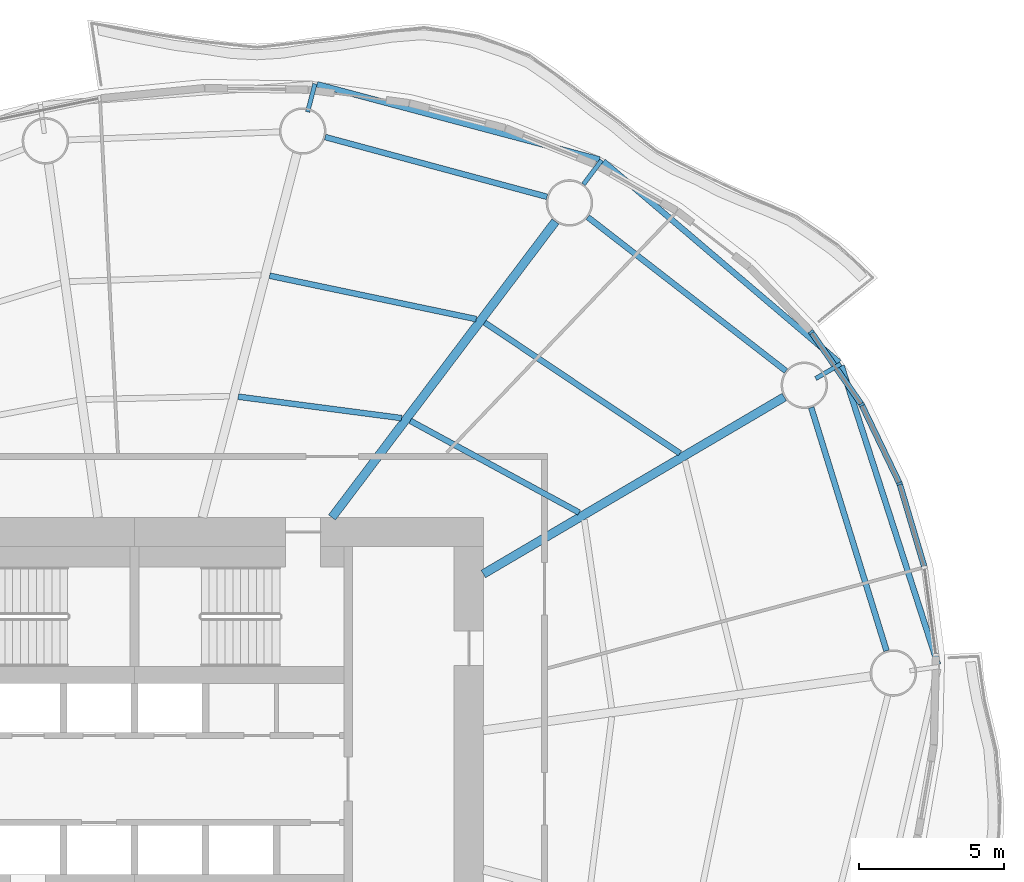
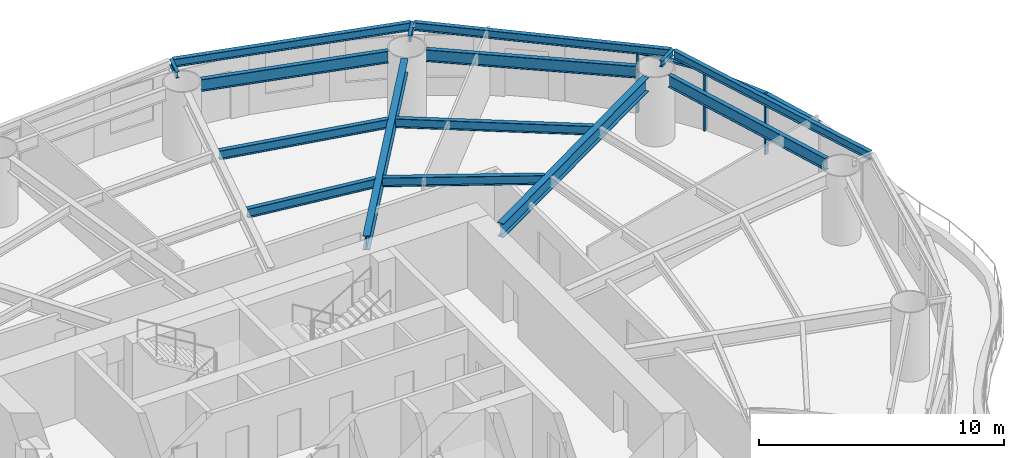
# One storey, part 6 of 14: 15 beams, 6 members, 3 elements without a shape of their own.
"""IFC4 building model written with IfcOpenShell, lengths in metres."""

from ifc_helpers import new_model, si_unit, direction, frame, origin, origin_2d, place, context, subcontext, project, spatial, rectangle, i_section, extrude, material, material_profile, profile_set, type_object, element, aggregate, save


model = new_model("IFC4")

# Units and contexts
model_context = context("Model", 3, precision=1e-05, world=origin(), true_north=direction((0.0, 1.0)))
body_context = subcontext(model_context, "Body", "Model", "MODEL_VIEW")
ifc_project = project(units=[si_unit("LENGTHUNIT", "METRE"), si_unit("AREAUNIT", "SQUARE_METRE"), si_unit("VOLUMEUNIT", "CUBIC_METRE"), si_unit("PLANEANGLEUNIT", "RADIAN"), si_unit("MASSUNIT", "GRAM", prefix="KILO")], contexts=[model_context])

# Site, building, storey
site_placement = place(None, origin())
site = spatial("IfcSite", under=ifc_project, at=site_placement, CompositionType="ELEMENT")
building_placement = place(site_placement, origin())
building = spatial("IfcBuilding", under=site, at=building_placement, Name="Vermilion Reach Broadcast Tower", CompositionType="ELEMENT")
storey_placement = place(building_placement, frame((0.0, 0.0, 117.39990234375)))
storey = spatial("IfcBuildingStorey", under=building, at=storey_placement, Name="L27", CompositionType="ELEMENT", Elevation=117.39990234375)

# Beams
ifc_material_1 = material(Name="Steel S355J2", Category="steel")
ifc_material_profile_1 = material_profile(ifc_material_1, i_section(OverallWidth=0.199951171875, OverallDepth=0.39990234375, WebThickness=0.008056640625, FlangeThickness=0.012939453125, at=origin_2d()), Name="S355J2 HN 400x200x8x13")
ifc_profile_set_1 = profile_set([ifc_material_profile_1], Name="Steel S355J2")
beam_type_1 = type_object("IfcBeamType", Name="EB2 HN 400x200x8x13", PredefinedType="BEAM", material=ifc_profile_set_1)
beam_1_placement = place(storey_placement, frame((18.23828125, 14.3359375, 3.25), z_axis=(-0.761148090509, 0.648578125066, 0.0), x_axis=(-0.648578125066, -0.761148090509, 0.0)))
element("IfcBeam", 1, at=beam_1_placement, inside=storey, type_object=beam_type_1, Name="Edge beam EB2-01", PredefinedType="BEAM", context=body_context, shape_type="SweptSolid", body=[
    extrude(i_section(OverallWidth=0.199951171875, OverallDepth=0.39990234375, WebThickness=0.008056640625, FlangeThickness=0.012939453125, at=origin_2d()), origin(), (0.0, 0.0, 1.0), 10.65087890625),
])
beam_2_placement = place(storey_placement, frame((9.99609375, 21.3134765625, 3.25), z_axis=(-0.966375456993, 0.257135132026, 0.0), x_axis=(-0.257135132026, -0.966375456993, 0.0)))
element("IfcBeam", 2, at=beam_2_placement, inside=storey, type_object=beam_type_1, Name="Edge beam EB2-02", PredefinedType="BEAM", context=body_context, shape_type="SweptSolid", body=[
    extrude(i_section(OverallWidth=0.199951171875, OverallDepth=0.39990234375, WebThickness=0.008056640625, FlangeThickness=0.012939453125, at=origin_2d()), origin(), (0.0, 0.0, 1.0), 10.053955078125),
])
beam_3_placement = place(storey_placement, frame((21.6416015625, 3.935791015625, 3.25), z_axis=(-0.30738985375, 0.951583668319, 0.0), x_axis=(-0.951583668319, -0.30738985375, 0.0)))
element("IfcBeam", 3, at=beam_3_placement, inside=storey, type_object=beam_type_1, Name="Edge beam EB2-16", PredefinedType="BEAM", context=body_context, shape_type="SweptSolid", body=[
    extrude(i_section(OverallWidth=0.199951171875, OverallDepth=0.39990234375, WebThickness=0.008056640625, FlangeThickness=0.012939453125, at=origin_2d()), origin(), (0.0, 0.0, 1.0), 10.79833984375),
])
ifc_material_2 = material(Name="Steel S355J2", Category="steel")
ifc_material_profile_2 = material_profile(ifc_material_2, i_section(OverallWidth=0.300048828125, OverallDepth=0.699951171875, WebThickness=0.012939453125, FlangeThickness=0.02392578125, at=origin_2d()), Name="S355J2 HN 700x300x13x24")
ifc_profile_set_2 = profile_set([ifc_material_profile_2], Name="Steel S355J2")
beam_type_2 = type_object("IfcBeamType", Name="G2 HN 700x300x13x24", PredefinedType="BEAM", material=ifc_profile_set_2)
beam_4_placement = place(storey_placement, frame((6.0, 7.054443359375, 3.10009765625), z_axis=(0.862071616631, 0.506786471603, 0.0), x_axis=(-0.506786471603, 0.862071616631, 0.0)))
element("IfcBeam", 4, at=beam_4_placement, inside=storey, type_object=beam_type_2, Name="Girder G2-01", PredefinedType="BEAM", context=body_context, shape_type="SweptSolid", body=[
    extrude(i_section(OverallWidth=0.300048828125, OverallDepth=0.699951171875, WebThickness=0.012939453125, FlangeThickness=0.02392578125, at=origin_2d()), origin(), (0.0, 0.0, 1.0), 12.01025390625),
])
beam_5_placement = place(storey_placement, frame((0.794189453125, 9.0, 3.10009765625), z_axis=(0.602519842365, 0.798103902733, 0.0), x_axis=(-0.798103902733, 0.602519842365, 0.0)))
element("IfcBeam", 5, at=beam_5_placement, inside=storey, type_object=beam_type_2, Name="Girder G2-02", PredefinedType="BEAM", context=body_context, shape_type="SweptSolid", body=[
    extrude(i_section(OverallWidth=0.300048828125, OverallDepth=0.699951171875, WebThickness=0.012939453125, FlangeThickness=0.02392578125, at=origin_2d()), origin(), (0.0, 0.0, 1.0), 12.758544921875),
])
ifc_material_3 = material(Name="Steel S355J2", Category="steel")
ifc_material_profile_3 = material_profile(ifc_material_3, i_section(OverallWidth=0.14990234375, OverallDepth=0.300048828125, WebThickness=0.006591796875, FlangeThickness=0.009033203125, at=origin_2d()), Name="S355J2 HN 300x150x6.5x9")
ifc_profile_set_3 = profile_set([ifc_material_profile_3], Name="Steel S355J2")
beam_type_3 = type_object("IfcBeamType", Name="GS2 HN 300x150x6.5x9", PredefinedType="BEAM", material=ifc_profile_set_3)
beam_6_placement = place(storey_placement, frame((17.4365234375, 13.777587890625, 3.300048828125), z_axis=(0.862047161964, 0.506828068037, 0.0), x_axis=(-0.506828068037, 0.862047161964, 0.0)))
element("IfcBeam", 6, at=beam_6_placement, inside=storey, type_object=beam_type_3, Name="Cantilever stub GS2-01", PredefinedType="BEAM", context=body_context, shape_type="SweptSolid", body=[
    extrude(i_section(OverallWidth=0.14990234375, OverallDepth=0.300048828125, WebThickness=0.006591796875, FlangeThickness=0.009033203125, at=origin_2d()), origin(), (0.0, 0.0, 1.0), 1.0),
])
beam_7_placement = place(storey_placement, frame((9.4453125, 20.45947265625, 3.300048828125), z_axis=(0.602541861435, 0.798087279199, 0.0), x_axis=(-0.798087279199, 0.602541861435, 0.0)))
element("IfcBeam", 7, at=beam_7_placement, inside=storey, type_object=beam_type_3, Name="Cantilever stub GS2-02", PredefinedType="BEAM", context=body_context, shape_type="SweptSolid", body=[
    extrude(i_section(OverallWidth=0.14990234375, OverallDepth=0.300048828125, WebThickness=0.006591796875, FlangeThickness=0.009033203125, at=origin_2d()), origin(), (0.0, 0.0, 1.0), 1.043701171875),
])
beam_8_placement = place(storey_placement, frame((-0.04345703125, 22.949951171875, 3.300048828125), z_axis=(0.251428062615, 0.967875988611, 0.0), x_axis=(-0.967875988611, 0.251428062615, 0.0)))
element("IfcBeam", 8, at=beam_8_placement, inside=storey, type_object=beam_type_3, Name="Cantilever stub GS2-03", PredefinedType="BEAM", context=body_context, shape_type="SweptSolid", body=[
    extrude(i_section(OverallWidth=0.14990234375, OverallDepth=0.300048828125, WebThickness=0.006591796875, FlangeThickness=0.009033203125, at=origin_2d()), origin(), (0.0, 0.0, 1.0), 1.000244140625),
])
ifc_material_4 = material(Name="Steel S355J2", Category="steel")
ifc_material_profile_4 = material_profile(ifc_material_4, i_section(OverallWidth=0.199951171875, OverallDepth=0.60009765625, WebThickness=0.010986328125, FlangeThickness=0.01708984375, at=origin_2d()), Name="S355J2 HN 600x200x11x17")
ifc_profile_set_4 = profile_set([ifc_material_profile_4], Name="Steel S355J2")
beam_type_4 = type_object("IfcBeamType", Name="RB2 HN 600x200x11x17", PredefinedType="BEAM", material=ifc_profile_set_4)
beam_9_placement = place(storey_placement, frame((16.41162109375, 14.037109375, 3.150146484375), z_axis=(-0.789825712432, 0.613331349257, 0.0), x_axis=(-0.613331349257, -0.789825712432, 0.0)))
element("IfcBeam", 9, at=beam_9_placement, inside=storey, type_object=beam_type_4, Name="Ring beam RB2-01", PredefinedType="BEAM", context=body_context, shape_type="SweptSolid", body=[
    extrude(i_section(OverallWidth=0.199951171875, OverallDepth=0.60009765625, WebThickness=0.010986328125, FlangeThickness=0.01708984375, at=origin_2d()), origin(), (0.0, 0.0, 1.0), 8.63037109375),
])
beam_10_placement = place(storey_placement, frame((8.19091796875, 20.029296875, 3.150146484375), z_axis=(-0.965541463834, 0.260249268234, 0.0), x_axis=(-0.260249268234, -0.965541463834, 0.0)))
element("IfcBeam", 10, at=beam_10_placement, inside=storey, type_object=beam_type_4, Name="Ring beam RB2-02", PredefinedType="BEAM", context=body_context, shape_type="SweptSolid", body=[
    extrude(i_section(OverallWidth=0.199951171875, OverallDepth=0.60009765625, WebThickness=0.010986328125, FlangeThickness=0.01708984375, at=origin_2d()), origin(), (0.0, 0.0, 1.0), 7.904541015625),
])
beam_11_placement = place(storey_placement, frame((19.872314453125, 4.410400390625, 3.150146484375), z_axis=(-0.295788439635, 0.95525347368, 0.0), x_axis=(-0.95525347368, -0.295788439635, 0.0)))
element("IfcBeam", 11, at=beam_11_placement, inside=storey, type_object=beam_type_4, Name="Ring beam RB2-16", PredefinedType="BEAM", context=body_context, shape_type="SweptSolid", body=[
    extrude(i_section(OverallWidth=0.199951171875, OverallDepth=0.60009765625, WebThickness=0.010986328125, FlangeThickness=0.01708984375, at=origin_2d()), origin(), (0.0, 0.0, 1.0), 8.763916015625),
])
ifc_material_5 = material(Name="Steel S355J2", Category="steel")
ifc_material_profile_5 = material_profile(ifc_material_5, i_section(OverallWidth=0.199951171875, OverallDepth=0.449951171875, WebThickness=0.009033203125, FlangeThickness=0.013916015625, at=origin_2d()), Name="S355J2 HN 450x200x9x14")
ifc_profile_set_5 = profile_set([ifc_material_profile_5], Name="Steel S355J2")
beam_type_5 = type_object("IfcBeamType", Name="SB2 HN 450x200x9x14", PredefinedType="BEAM", material=ifc_profile_set_5)
beam_12_placement = place(storey_placement, frame((9.29736328125, 9.1669921875, 3.22509765625), z_axis=(-0.878713106774, 0.477350265512, 0.0), x_axis=(-0.477350265512, -0.878713106774, 0.0)))
element("IfcBeam", 12, at=beam_12_placement, inside=storey, type_object=beam_type_5, Name="Secondary beam SB2-01-1", PredefinedType="BEAM", context=body_context, shape_type="SweptSolid", body=[
    extrude(i_section(OverallWidth=0.199951171875, OverallDepth=0.449951171875, WebThickness=0.009033203125, FlangeThickness=0.013916015625, at=origin_2d()), origin(), (0.0, 0.0, 1.0), 6.60888671875),
])
beam_13_placement = place(storey_placement, frame((12.76416015625, 11.204833984375, 3.22509765625), z_axis=(-0.830915400975, 0.556398774641, 0.0), x_axis=(-0.556398774641, -0.830915400975, 0.0)))
element("IfcBeam", 13, at=beam_13_placement, inside=storey, type_object=beam_type_5, Name="Secondary beam SB2-01-2", PredefinedType="BEAM", context=body_context, shape_type="SweptSolid", body=[
    extrude(i_section(OverallWidth=0.199951171875, OverallDepth=0.449951171875, WebThickness=0.009033203125, FlangeThickness=0.013916015625, at=origin_2d()), origin(), (0.0, 0.0, 1.0), 8.087646484375),
])
beam_14_placement = place(storey_placement, frame((3.185546875, 12.416748046875, 3.22509765625), z_axis=(-0.991498686864, 0.130116693573, 0.0), x_axis=(-0.130116693573, -0.991498686864, 0.0)))
element("IfcBeam", 14, at=beam_14_placement, inside=storey, type_object=beam_type_5, Name="Secondary beam SB2-02-1", PredefinedType="BEAM", context=body_context, shape_type="SweptSolid", body=[
    extrude(i_section(OverallWidth=0.199951171875, OverallDepth=0.449951171875, WebThickness=0.009033203125, FlangeThickness=0.013916015625, at=origin_2d()), origin(), (0.0, 0.0, 1.0), 5.66455078125),
])
beam_15_placement = place(storey_placement, frame((5.7568359375, 15.822509765625, 3.22509765625), z_axis=(-0.978631382549, 0.205622511148, 0.0), x_axis=(-0.205622511148, -0.978631382549, 0.0)))
element("IfcBeam", 15, at=beam_15_placement, inside=storey, type_object=beam_type_5, Name="Secondary beam SB2-02-2", PredefinedType="BEAM", context=body_context, shape_type="SweptSolid", body=[
    extrude(i_section(OverallWidth=0.199951171875, OverallDepth=0.449951171875, WebThickness=0.009033203125, FlangeThickness=0.013916015625, at=origin_2d()), origin(), (0.0, 0.0, 1.0), 7.262939453125),
])

# Curtain wall, member
ifc_material_6 = material(Name="Low-e laminated clear glass in aluminium frame", Category="aluminium")
curtain_wall_type = type_object("IfcCurtainWallType", Name="Slot curtain wall", PredefinedType="NOTDEFINED", material=ifc_material_6)
placement = place(storey_placement, origin())
curtain_wall_1 = element("IfcCurtainWall", 16, at=placement, inside=storey, type_object=curtain_wall_type, Name="Slot curtain wall L27 00", PredefinedType="NOTDEFINED")
ifc_material_7 = material(Name="Anodised aluminium", Category="aluminium")
ifc_material_profile_6 = material_profile(ifc_material_7, rectangle(XDim=0.199951171875, YDim=0.080078125, at=origin_2d()), Name="Slot mullion 80 x 200")
ifc_profile_set_6 = profile_set([ifc_material_profile_6], Name="Anodised aluminium")
member_type_1 = type_object("IfcMemberType", Name="Slot mullion 80 x 200", PredefinedType="MULLION", material=ifc_profile_set_6)
member_1_placement = place(storey_placement, frame((20.31982421875, 10.16650390625, 0.0), z_axis=(0.0, 0.0, 1.0), x_axis=(-0.932827792053, -0.360322508835, 0.0)))
member_1 = element("IfcMember", 17, at=member_1_placement, type_object=member_type_1, Name="Slot mullion L27 00", PredefinedType="MULLION", context=body_context, shape_type="SweptSolid", body=[
    extrude(rectangle(XDim=0.199951171875, YDim=0.080078125, at=origin_2d()), origin(), (0.0, 0.0, 1.0), 3.050048828125),
])

# Curtain wall, members
curtain_wall_2 = element("IfcCurtainWall", 18, at=placement, inside=storey, type_object=curtain_wall_type, Name="Slot curtain wall L27 01", PredefinedType="NOTDEFINED")
member_2_placement = place(storey_placement, frame((19.013916015625, 12.880615234375, 0.0), z_axis=(0.0, 0.0, 1.0), x_axis=(-0.864021172074, -0.503455473909, 0.0)))
member_2 = element("IfcMember", 19, at=member_2_placement, type_object=member_type_1, Name="Slot mullion L27 01", PredefinedType="MULLION", context=body_context, shape_type="SweptSolid", body=[
    extrude(rectangle(XDim=0.199951171875, YDim=0.080078125, at=origin_2d()), origin(), (0.0, 0.0, 1.0), 3.050048828125),
])
member_3_placement = place(storey_placement, frame((17.28173828125, 15.376220703125, 0.0), z_axis=(0.0, 0.0, 1.0), x_axis=(-0.77501696646, -0.631940425751, 0.0)))
member_3 = element("IfcMember", 20, at=member_3_placement, type_object=member_type_1, Name="Slot mullion L27 02", PredefinedType="MULLION", context=body_context, shape_type="SweptSolid", body=[
    extrude(rectangle(XDim=0.199951171875, YDim=0.080078125, at=origin_2d()), origin(), (0.0, 0.0, 1.0), 3.050048828125),
])

# Curtain wall, member
curtain_wall_3 = element("IfcCurtainWall", 21, at=placement, inside=storey, type_object=curtain_wall_type, Name="Slot curtain wall L27 47", PredefinedType="NOTDEFINED")
ifc_material_8 = material(Name="Anodised aluminium", Category="aluminium")
ifc_material_profile_7 = material_profile(ifc_material_8, rectangle(XDim=0.199951171875, YDim=0.10009765625, at=origin_2d()), Name="Slot transom 200 x 100")
ifc_profile_set_7 = profile_set([ifc_material_profile_7], Name="Anodised aluminium")
member_type_2 = type_object("IfcMemberType", Name="Slot transom 200 x 100", PredefinedType="USERDEFINED", material=ifc_profile_set_7)
member_4_placement = place(storey_placement, frame((21.166259765625, 7.317626953125, 3.0), z_axis=(-0.284780029098, 0.958592893269, 0.0), x_axis=(-0.958592893269, -0.284780029098, 0.0)))
member_4 = element("IfcMember", 22, at=member_4_placement, type_object=member_type_2, Name="Slot transom L27 47.1", ObjectType="TRANSOM", PredefinedType="USERDEFINED", context=body_context, shape_type="SweptSolid", body=[
    extrude(rectangle(XDim=0.199951171875, YDim=0.10009765625, at=origin_2d()), origin(), (0.0, 0.0, 1.0), 2.931884765625),
])
aggregate(curtain_wall_3, [member_4])

# Member
member_5_placement = place(storey_placement, frame((20.302490234375, 10.20263671875, 3.0), z_axis=(-0.433572755553, 0.901118563587, 0.0), x_axis=(-0.901118563587, -0.433572755553, 0.0)))
member_5 = element("IfcMember", 23, at=member_5_placement, type_object=member_type_2, Name="Slot transom L27 00.1", ObjectType="TRANSOM", PredefinedType="USERDEFINED", context=body_context, shape_type="SweptSolid", body=[
    extrude(rectangle(XDim=0.199951171875, YDim=0.10009765625, at=origin_2d()), origin(), (0.0, 0.0, 1.0), 2.93212890625),
])

aggregate(curtain_wall_1, [member_1, member_5])

member_6_placement = place(storey_placement, frame((18.9912109375, 12.91357421875, 3.0), z_axis=(-0.570183877166, 0.821517100382, 0.0), x_axis=(-0.821517100382, -0.570183877166, 0.0)))
member_6 = element("IfcMember", 24, at=member_6_placement, type_object=member_type_2, Name="Slot transom L27 01.1", ObjectType="TRANSOM", PredefinedType="USERDEFINED", context=body_context, shape_type="SweptSolid", body=[
    extrude(rectangle(XDim=0.199951171875, YDim=0.10009765625, at=origin_2d()), origin(), (0.0, 0.0, 1.0), 2.957763671875),
])

aggregate(curtain_wall_2, [member_2, member_3, member_6])

save(model, "model.ifc")
